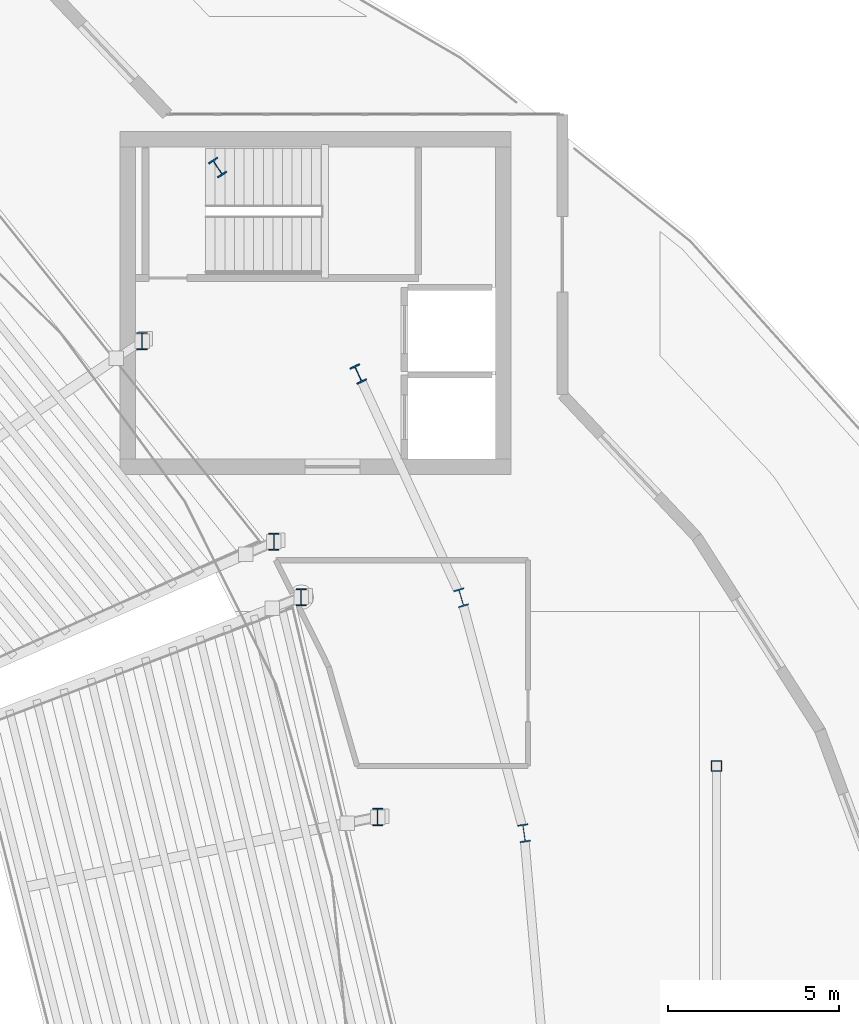
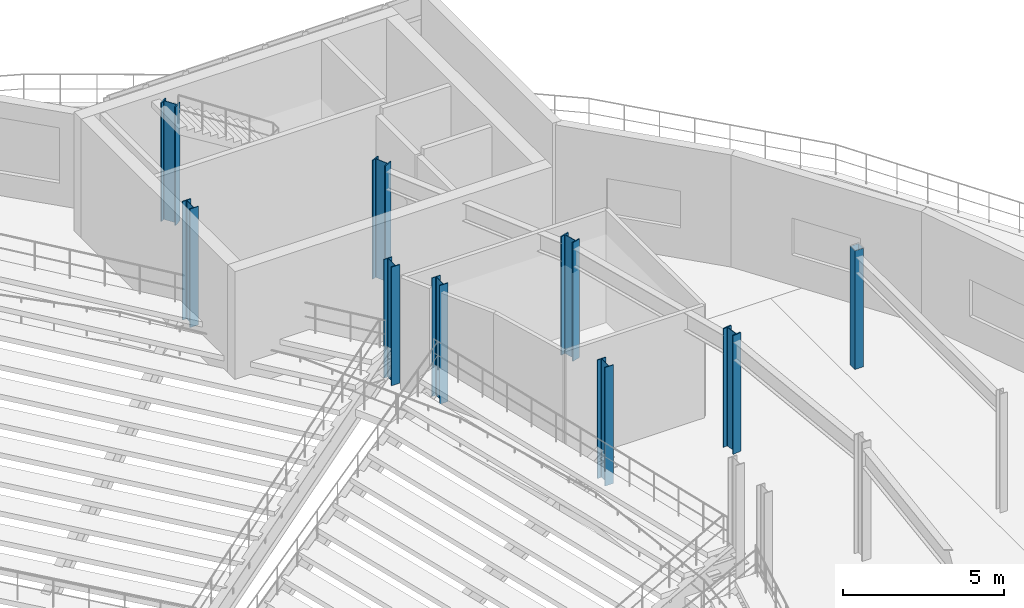
# One storey, part 15 of 81: 9 columns.
"""IFC4 building model written with IfcOpenShell, lengths in metres."""

from ifc_helpers import new_model, si_unit, direction, frame, origin, origin_2d, place, context, subcontext, project, spatial, hollow_rectangle, i_section, extrude, material, material_profile, profile_set, type_object, element, save


model = new_model("IFC4")

# Units and contexts
model_context = context("Model", 3, precision=1e-05, world=origin(), true_north=direction((0.0, 1.0)))
body_context = subcontext(model_context, "Body", "Model", "MODEL_VIEW")
ifc_project = project(units=[si_unit("LENGTHUNIT", "METRE"), si_unit("AREAUNIT", "SQUARE_METRE"), si_unit("VOLUMEUNIT", "CUBIC_METRE"), si_unit("PLANEANGLEUNIT", "RADIAN"), si_unit("MASSUNIT", "GRAM", prefix="KILO")], contexts=[model_context])

# Site, building, storey
site_placement = place(None, origin())
site = spatial("IfcSite", under=ifc_project, at=site_placement, CompositionType="ELEMENT")
building_placement = place(site_placement, origin())
building = spatial("IfcBuilding", under=site, at=building_placement, Name="Glasvene Arena", CompositionType="ELEMENT")
storey_placement = place(building_placement, frame((0.0, 0.0, 15.0)))
storey = spatial("IfcBuildingStorey", under=building, at=storey_placement, Name="L03", CompositionType="ELEMENT", Elevation=15.0)

# Columns
ifc_material = material(Name="Steel S355J2", Category="steel")
ifc_material_profile_1 = material_profile(ifc_material, i_section(OverallWidth=0.305908203125, OverallDepth=0.52392578125, WebThickness=0.02099609375, FlangeThickness=0.0400390625, FilletRadius=0.027099609375, at=origin_2d()), Name="HEM 500")
ifc_profile_set_1 = profile_set([ifc_material_profile_1], Name="Steel S355J2")
column_type_1 = type_object("IfcColumnType", Name="COL-RING-HEM500", PredefinedType="COLUMN", material=ifc_profile_set_1)
for number, where, z_axis, x_axis, name in (
    (1, (141.384521484375, 80.03955078125, 0.0), (0.0, 0.0, 1.0), (0.989999050734, 0.141074021516, 0.0), "Bowl ring column R02 L03"),
    (2, (139.552734375, 86.90576171875, 0.0), (0.0, 0.0, 1.0), (0.959805291975, 0.280666708921, 0.0), "Bowl ring column R03 L03"),
    (3, (136.55029296875, 93.4296875, 0.0), (0.0, 0.0, 1.0), (0.909018020308, 0.416756810089, 0.0), "Bowl ring column R04 L03"),
    (4, (132.45068359375, 99.4501953125, 0.0), (0.0, 0.0, 1.0), (0.836955398099, 0.547271104292, 0.0), "Bowl ring column R05 L03"),
):
    element("IfcColumn", number, at=place(storey_placement, frame(where, z_axis=z_axis, x_axis=x_axis)), inside=storey, type_object=column_type_1, Name=name, PredefinedType="COLUMN", context=body_context, shape_type="SweptSolid", body=[
        extrude(i_section(OverallWidth=0.305908203125, OverallDepth=0.52392578125, WebThickness=0.02099609375, FlangeThickness=0.0400390625, FilletRadius=0.027099609375, at=origin_2d()), origin(), (0.0, 0.0, 1.0), 4.5),
    ])
ifc_material_profile_2 = material_profile(ifc_material, i_section(OverallWidth=0.300048828125, OverallDepth=0.5, WebThickness=0.014404296875, FlangeThickness=0.028076171875, FilletRadius=0.027099609375, at=origin_2d()), Name="HEB 500")
ifc_profile_set_2 = profile_set([ifc_material_profile_2], Name="Steel S355J2")
column_type_2 = type_object("IfcColumnType", Name="COL-W-HEB500", PredefinedType="COLUMN", material=ifc_profile_set_2)
for number, where, z_axis, x_axis, name in (
    (5, (134.886962890625, 86.922607421875, 0.0), (0.0, 0.0, 1.0), (1.0, 0.0, 0.0), "Upper raker rear column L03 01-2"),
    (6, (134.088134765625, 88.53662109375, 0.0), (0.0, 0.0, 1.0), (1.0, 0.0, 0.0), "Upper raker rear column L03 02-1"),
    (7, (137.1162109375, 80.510986328125, 0.0), (0.0, 0.0, 1.0), (1.0, 0.0, 0.0), "Mid-sector rear raker column L03 01"),
    (8, (130.24755859375, 94.389404296875, 0.0), (0.0, 0.0, 1.0), (1.0, 0.0, 0.0), "Mid-sector rear raker column L03 02"),
):
    element("IfcColumn", number, at=place(storey_placement, frame(where, z_axis=z_axis, x_axis=x_axis)), inside=storey, type_object=column_type_2, Name=name, PredefinedType="COLUMN", context=body_context, shape_type="SweptSolid", body=[
        extrude(i_section(OverallWidth=0.300048828125, OverallDepth=0.5, WebThickness=0.014404296875, FlangeThickness=0.028076171875, FilletRadius=0.027099609375, at=origin_2d()), origin(), (0.0, 0.0, 1.0), 4.5),
    ])
ifc_material_profile_3 = material_profile(ifc_material, hollow_rectangle(XDim=0.300048828125, YDim=0.300048828125, WallThickness=0.012451171875, at=origin_2d()), Name="SHS 300x300x12.5")
ifc_profile_set_3 = profile_set([ifc_material_profile_3], Name="Steel S355J2")
column_type_3 = type_object("IfcColumnType", Name="COL-W-SHS300", PredefinedType="COLUMN", material=ifc_profile_set_3)
column_placement = place(storey_placement, frame((147.0, 82.0, 0.0), z_axis=(0.0, 0.0, 1.0), x_axis=(1.0, 0.0, 0.0)))
element("IfcColumn", 9, at=column_placement, inside=storey, type_object=column_type_3, Name="Grid column 17-10 L03", PredefinedType="COLUMN", context=body_context, shape_type="SweptSolid", body=[
    extrude(hollow_rectangle(XDim=0.300048828125, YDim=0.300048828125, WallThickness=0.012451171875, at=origin_2d()), origin(), (0.0, 0.0, 1.0), 4.5),
])

save(model, "model.ifc")
